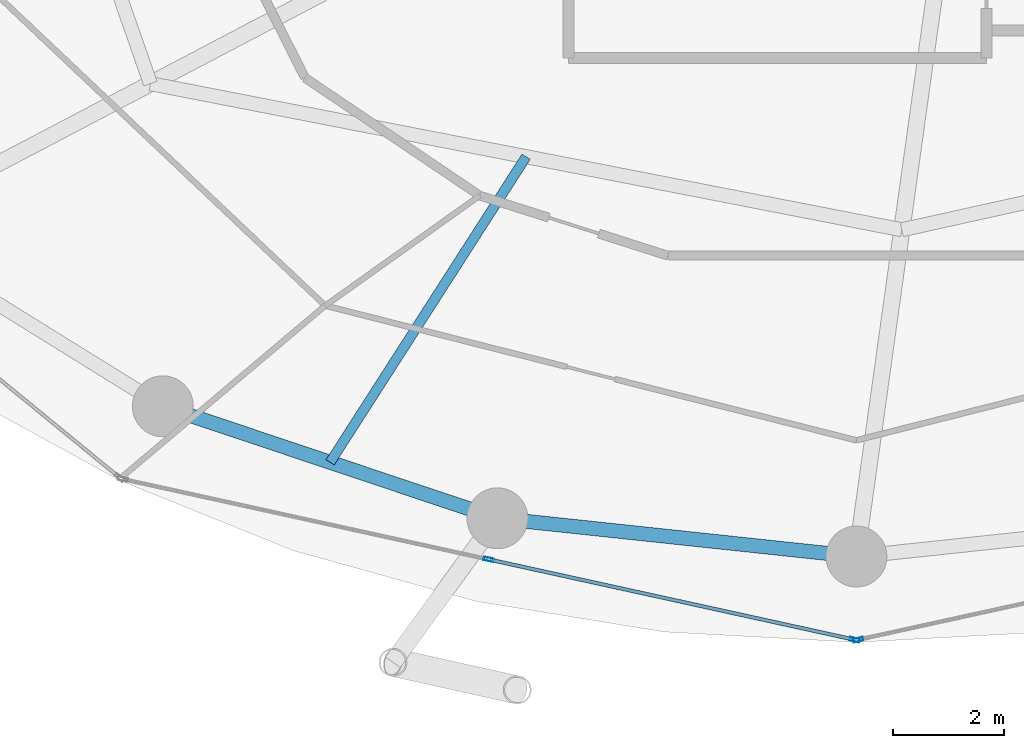
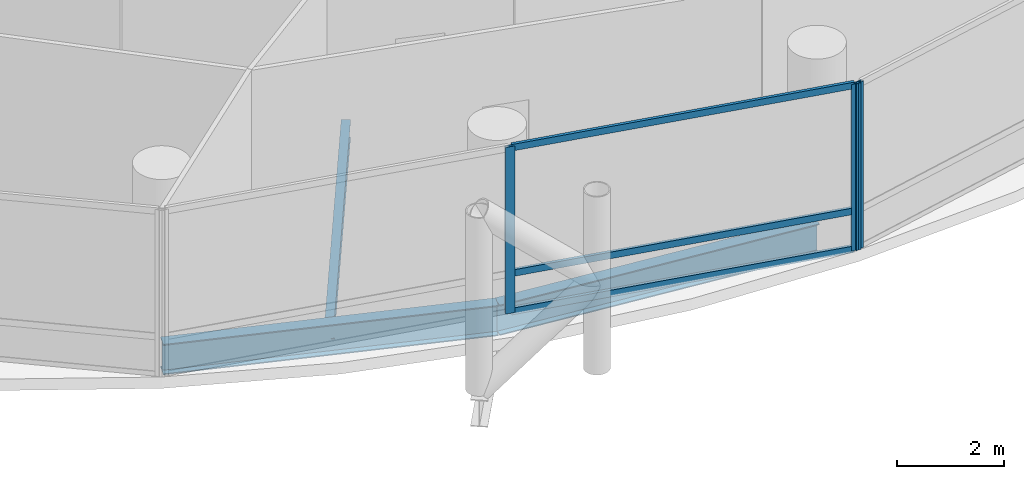
# One storey, part 4 of 24: 6 members, 3 beams, 2 elements without a shape of their own.
"""IFC4 building model written with IfcOpenShell, lengths in metres."""

from ifc_helpers import new_model, si_unit, direction, frame, origin, origin_2d, place, context, subcontext, project, spatial, hollow_rectangle, i_section, extrude, material, layer, layer_set, material_profile, profile_set, type_object, element, aggregate, save


model = new_model("IFC4")

# Units and contexts
model_context = context("Model", 3, precision=1e-05, world=origin(), true_north=direction((0.0, 1.0)))
body_context = subcontext(model_context, "Body", "Model", "MODEL_VIEW")
ifc_project = project(units=[si_unit("LENGTHUNIT", "METRE"), si_unit("AREAUNIT", "SQUARE_METRE"), si_unit("VOLUMEUNIT", "CUBIC_METRE"), si_unit("PLANEANGLEUNIT", "RADIAN"), si_unit("MASSUNIT", "GRAM", prefix="KILO")], contexts=[model_context])

# Site, building, storey
site_placement = place(None, origin())
site = spatial("IfcSite", under=ifc_project, at=site_placement, CompositionType="ELEMENT")
building_placement = place(site_placement, origin())
building = spatial("IfcBuilding", under=site, at=building_placement, Name="Nuhasar Tower", CompositionType="ELEMENT")
storey_placement = place(building_placement, frame((0.0, 0.0, 33.14990234375)))
storey = spatial("IfcBuildingStorey", under=building, at=storey_placement, Name="L07", CompositionType="ELEMENT", Elevation=33.14990234375)

# Beams
ifc_material_1 = material(Name="Steel S355", Category="steel")
ifc_material_profile_1 = material_profile(ifc_material_1, i_section(OverallWidth=0.177978515625, OverallDepth=0.406005859375, WebThickness=0.0078125, FlangeThickness=0.0126953125, at=origin_2d()), Name="W16X40")
ifc_profile_set_1 = profile_set([ifc_material_profile_1], Name="Steel S355")
beam_type_1 = type_object("IfcBeamType", Name="BM-JST-W16X40", PredefinedType="JOIST", material=ifc_profile_set_1)
beam_1_placement = place(storey_placement, frame((33.035888671875, 13.77001953125, -0.462890625), z_axis=(-0.539944240715, -0.841700788237, 0.0), x_axis=(0.841700788237, -0.539944240715, 0.0)))
element("IfcBeam", 1, at=beam_1_placement, inside=storey, type_object=beam_type_1, Name="L07 Secondary Floor Joist 01", PredefinedType="JOIST", context=body_context, shape_type="SweptSolid", body=[
    extrude(i_section(OverallWidth=0.177978515625, OverallDepth=0.406005859375, WebThickness=0.0078125, FlangeThickness=0.0126953125, at=origin_2d()), origin(), (0.0, 0.0, 1.0), 6.555908203125),
])
ifc_material_profile_2 = material_profile(ifc_material_1, i_section(OverallWidth=0.256103515625, OverallDepth=0.693115234375, WebThickness=0.014404296875, FlangeThickness=0.023681640625, at=origin_2d()), Name="W27X114")
ifc_profile_set_2 = profile_set([ifc_material_profile_2], Name="Steel S355")
beam_type_2 = type_object("IfcBeamType", Name="BM-RING-W27X114", PredefinedType="SPANDREL", material=ifc_profile_set_2)
beam_2_placement = place(storey_placement, frame((26.47509765625, 9.262939453125, -0.60595703125), z_axis=(0.94826097201, -0.317491935271, 0.0), x_axis=(0.317491935271, 0.94826097201, 0.0)))
element("IfcBeam", 2, at=beam_2_placement, inside=storey, type_object=beam_type_2, Name="L07 Perimeter Ring Spandrel 17", PredefinedType="SPANDREL", context=body_context, shape_type="SweptSolid", body=[
    extrude(i_section(OverallWidth=0.256103515625, OverallDepth=0.693115234375, WebThickness=0.014404296875, FlangeThickness=0.023681640625, at=origin_2d()), origin(), (0.0, 0.0, 1.0), 6.37158203125),
])
beam_3_placement = place(storey_placement, frame((32.51708984375, 7.239990234375, -0.60595703125), z_axis=(0.994384554061, -0.105827022286, 0.0), x_axis=(0.105827022286, 0.994384554061, 0.0)))
element("IfcBeam", 3, at=beam_3_placement, inside=storey, type_object=beam_type_2, Name="L07 Perimeter Ring Spandrel 18", PredefinedType="SPANDREL", context=body_context, shape_type="SweptSolid", body=[
    extrude(i_section(OverallWidth=0.256103515625, OverallDepth=0.693115234375, WebThickness=0.014404296875, FlangeThickness=0.023681640625, at=origin_2d()), origin(), (0.0, 0.0, 1.0), 6.51953125),
])

# Curtain wall, members
ifc_material_2 = material(Name="Aluminium 6063-T6", Category="aluminium")
ifc_layer = layer(ifc_material_2, 0.199951171875)
ifc_layer_set = layer_set([ifc_layer], Name="Aluminium 6063-T6")
curtain_wall_type = type_object("IfcCurtainWallType", Name="CW-Z1-OFF", PredefinedType="NOTDEFINED", material=ifc_layer_set)
curtain_wall_1_placement = place(storey_placement, origin())
curtain_wall_1 = element("IfcCurtainWall", 4, at=curtain_wall_1_placement, inside=storey, type_object=curtain_wall_type, Name="L07 Unitised Curtain Wall 09", PredefinedType="NOTDEFINED")
ifc_material_profile_3 = material_profile(ifc_material_2, hollow_rectangle(XDim=0.06494140625, YDim=0.179931640625, WallThickness=0.0048828125, at=origin_2d()), Name="CWM-2")
ifc_profile_set_3 = profile_set([ifc_material_profile_3], Name="Aluminium 6063-T6")
member_type_1 = type_object("IfcMemberType", Name="CW-MUL-S2", PredefinedType="MULLION", material=ifc_profile_set_3)
member_1_placement = place(storey_placement, frame((32.360107421875, 6.49755859375, 0.0), z_axis=(0.0, 0.0, 1.0), x_axis=(0.214398737637, 0.976746221544, 0.0)))
member_1 = element("IfcMember", 5, at=member_1_placement, type_object=member_type_1, Name="CW-Z1 mullion 2", PredefinedType="MULLION", context=body_context, shape_type="SweptSolid", body=[
    extrude(hollow_rectangle(XDim=0.06494140625, YDim=0.179931640625, WallThickness=0.0048828125, at=origin_2d()), origin(), (0.0, 0.0, 1.0), 3.7900390625),
])
member_2_placement = place(storey_placement, frame((38.96826171875, 5.046875, 0.0), z_axis=(0.0, 0.0, 1.0), x_axis=(0.214398737637, 0.976746221544, 0.0)))
member_2 = element("IfcMember", 6, at=member_2_placement, type_object=member_type_1, Name="CW-Z1 mullion 3", PredefinedType="MULLION", context=body_context, shape_type="SweptSolid", body=[
    extrude(hollow_rectangle(XDim=0.06494140625, YDim=0.179931640625, WallThickness=0.0048828125, at=origin_2d()), origin(), (0.0, 0.0, 1.0), 3.7900390625),
])

# Curtain wall, member
curtain_wall_2_placement = place(storey_placement, origin())
curtain_wall_2 = element("IfcCurtainWall", 7, at=curtain_wall_2_placement, inside=storey, type_object=curtain_wall_type, Name="L07 Unitised Curtain Wall 10", PredefinedType="NOTDEFINED")
member_3_placement = place(storey_placement, frame((39.03173828125, 5.046875, 0.0), z_axis=(0.0, 0.0, 1.0), x_axis=(-0.214398737637, 0.976746221544, 0.0)))
member_3 = element("IfcMember", 8, at=member_3_placement, type_object=member_type_1, Name="CW-Z1 mullion 1", PredefinedType="MULLION", context=body_context, shape_type="SweptSolid", body=[
    extrude(hollow_rectangle(XDim=0.06494140625, YDim=0.179931640625, WallThickness=0.0048828125, at=origin_2d()), origin(), (0.0, 0.0, 1.0), 3.7900390625),
])
aggregate(curtain_wall_2, [member_3])

# Member
ifc_material_profile_4 = material_profile(ifc_material_2, hollow_rectangle(XDim=0.06494140625, YDim=0.14990234375, WallThickness=0.00439453125, at=origin_2d()), Name="CWT-2")
ifc_profile_set_4 = profile_set([ifc_material_profile_4], Name="Aluminium 6063-T6")
member_type_2 = type_object("IfcMemberType", Name="CW-TRN-S2", PredefinedType="USERDEFINED", material=ifc_profile_set_4)
member_4_placement = place(storey_placement, frame((32.391845703125, 6.490478515625, 0.03271484375), z_axis=(0.976747879138, -0.214391185916, 0.0), x_axis=(0.214391185916, 0.976747879138, 0.0)))
member_4 = element("IfcMember", 9, at=member_4_placement, type_object=member_type_2, Name="CW-Z1 transom 2.1", ObjectType="TRANSOM", PredefinedType="USERDEFINED", context=body_context, shape_type="SweptSolid", body=[
    extrude(hollow_rectangle(XDim=0.06494140625, YDim=0.14990234375, WallThickness=0.00439453125, at=origin_2d()), origin(), (0.0, 0.0, 1.0), 6.700439453125),
])

member_5_placement = place(storey_placement, frame((32.391845703125, 6.490478515625, 0.900146484375), z_axis=(0.976747879138, -0.214391185916, 0.0), x_axis=(0.214391185916, 0.976747879138, 0.0)))
member_5 = element("IfcMember", 10, at=member_5_placement, type_object=member_type_2, Name="CW-Z1 transom 2.2", ObjectType="TRANSOM", PredefinedType="USERDEFINED", context=body_context, shape_type="SweptSolid", body=[
    extrude(hollow_rectangle(XDim=0.06494140625, YDim=0.14990234375, WallThickness=0.00439453125, at=origin_2d()), origin(), (0.0, 0.0, 1.0), 6.700439453125),
])

member_6_placement = place(storey_placement, frame((32.391845703125, 6.490478515625, 3.757568359375), z_axis=(0.976747879138, -0.214391185916, 0.0), x_axis=(0.214391185916, 0.976747879138, 0.0)))
member_6 = element("IfcMember", 11, at=member_6_placement, type_object=member_type_2, Name="CW-Z1 transom 2.3", ObjectType="TRANSOM", PredefinedType="USERDEFINED", context=body_context, shape_type="SweptSolid", body=[
    extrude(hollow_rectangle(XDim=0.06494140625, YDim=0.14990234375, WallThickness=0.00439453125, at=origin_2d()), origin(), (0.0, 0.0, 1.0), 6.700439453125),
])

aggregate(curtain_wall_1, [member_1, member_2, member_4, member_5, member_6])

save(model, "model.ifc")
